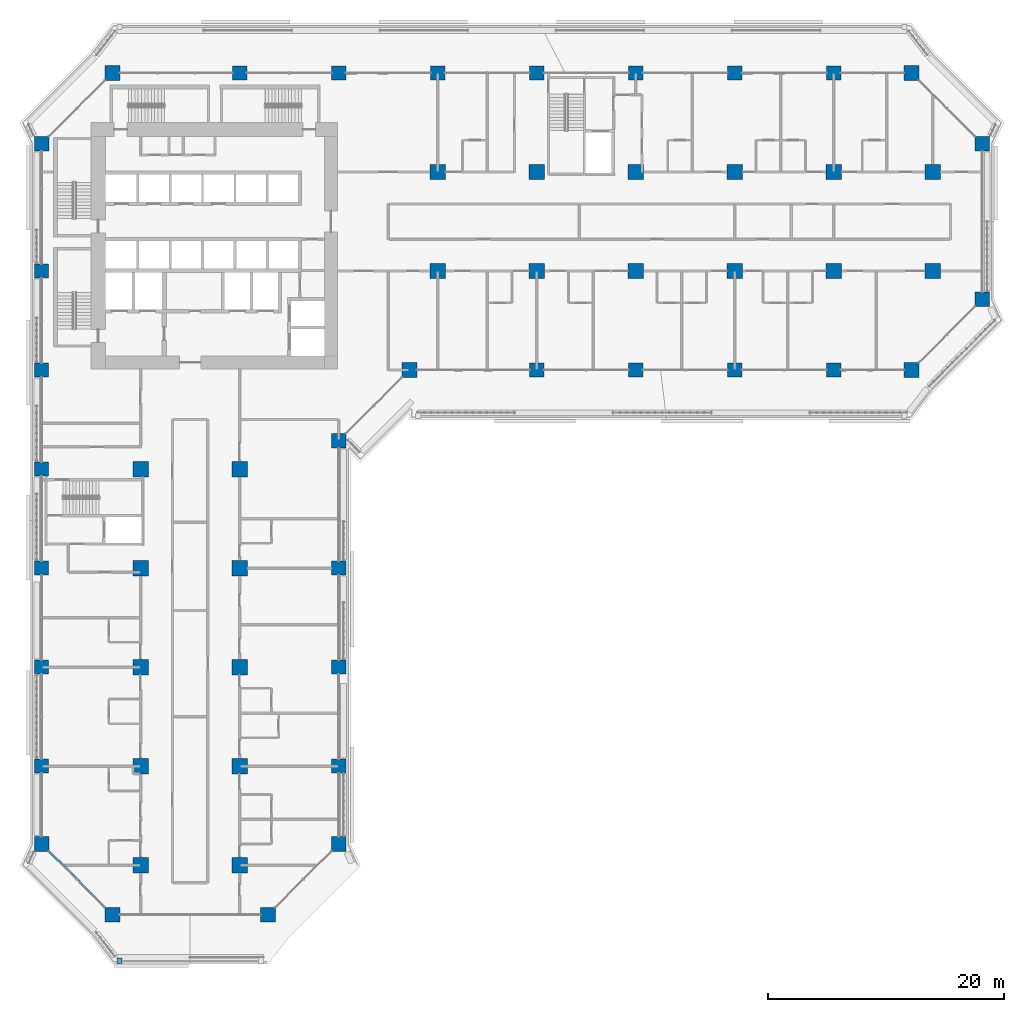
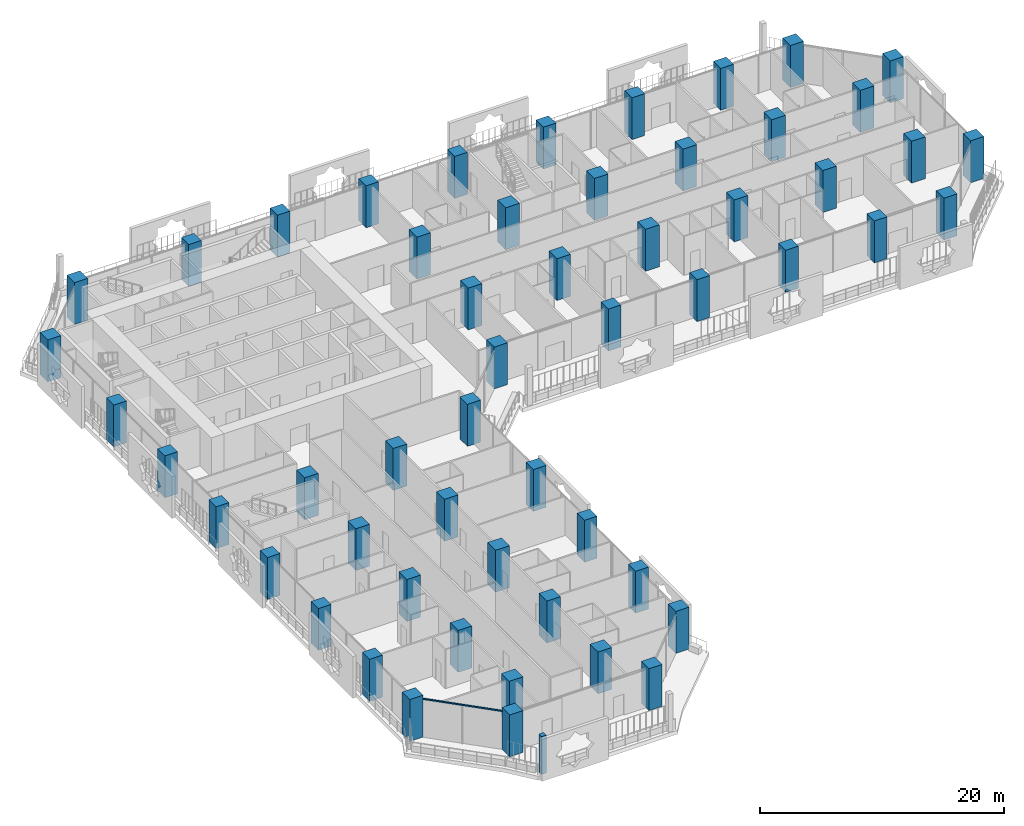
# One storey, part 1 of 28: 54 columns, 2 members, 2 elements without a shape of their own.
"""IFC4 building model written with IfcOpenShell, lengths in metres."""

import ifcopenshell
import ifcopenshell.guid

model = None  # the IFC model being written
_history = None  # IfcOwnerHistory: only IFC2X3 demands one
_inside = {}  # id of a spatial element -> (the spatial element, [elements in it])
_under = {}  # id of a project, library or spatial element -> (it, [spatial elements below it])
_declared = {}  # id of a project -> (the project, [libraries it declares])
_typed = {}  # id of a type object -> (the type object, [elements of that type])
_made_of = {}  # id of a material, layer set ... -> (it, [elements and type objects made of it])


def new_model(schema):
    """Start an empty IFC model of exactly this schema.

    Asked for "IFC4X3", IfcOpenShell would pick the latest addendum, in which some entities
    have other attributes; the version numbers below select the first issue.
    IFC2X3 requires an IfcOwnerHistory on every rooted entity: one is made here for all.
    """
    global model, _history
    if schema == "IFC4X3":
        model = ifcopenshell.file(schema_version=(4, 3, 0, 0))
    else:
        model = ifcopenshell.file(schema=schema)
    _inside.clear()
    _under.clear()
    _declared.clear()
    _typed.clear()
    _made_of.clear()
    _history = None
    if model.schema == "IFC2X3":
        org = make("IfcOrganization", Name="unknown")
        user = make(
            "IfcPersonAndOrganization",
            ThePerson=make("IfcPerson", FamilyName="unknown"),
            TheOrganization=org,
        )
        app = make(
            "IfcApplication",
            ApplicationDeveloper=org,
            Version="unknown",
            ApplicationFullName="unknown",
            ApplicationIdentifier="unknown",
        )
        _history = make(
            "IfcOwnerHistory",
            OwningUser=user,
            OwningApplication=app,
            ChangeAction="ADDED",
            CreationDate=0,
        )
    return model


def make(cls, **values):
    """One entity of the class cls with the attributes given. An attribute that is None is left unset."""
    return model.create_entity(
        cls, **{name: value for name, value in values.items() if value is not None}
    )


def rooted(cls, **values):
    """An entity with a GlobalId (a new one), such as an element, a storey or a relation."""
    return make(cls, GlobalId=ifcopenshell.guid.new(), OwnerHistory=_history, **values)


def si_unit(unit_type, name, prefix=None):
    """IfcSIUnit, for example si_unit("LENGTHUNIT", "METRE", prefix="MILLI")."""
    return make("IfcSIUnit", UnitType=unit_type, Prefix=prefix, Name=name)


def assignment(units):
    """IfcUnitAssignment: the units of a project."""
    return None if units is None else make("IfcUnitAssignment", Units=units)


def point(xyz):
    """IfcCartesianPoint."""
    return None if xyz is None else make("IfcCartesianPoint", Coordinates=xyz)


def direction(xyz):
    """IfcDirection."""
    return None if xyz is None else make("IfcDirection", DirectionRatios=xyz)


def frame(location, z_axis=None, x_axis=None):
    """IfcAxis2Placement3D, a coordinate frame: its origin and axes. An axis left out is left unset."""
    return make(
        "IfcAxis2Placement3D",
        Location=point(location),
        Axis=direction(z_axis),
        RefDirection=direction(x_axis),
    )


def frame_2d(location, x_axis=None):
    """IfcAxis2Placement2D, a coordinate frame in the plane: its origin and x axis."""
    return make(
        "IfcAxis2Placement2D", Location=point(location), RefDirection=direction(x_axis)
    )


def origin():
    """The frame at (0, 0, 0) with its axes left unset."""
    return frame((0.0, 0.0, 0.0))


def origin_2d():
    """The frame at (0, 0) in the plane with its x axis left unset."""
    return frame_2d((0.0, 0.0))


def place(relative_to, where):
    """IfcLocalPlacement: puts the frame where relative to a parent placement (None: the world)."""
    return make(
        "IfcLocalPlacement", PlacementRelTo=relative_to, RelativePlacement=where
    )


def context(
    kind, dimensions, precision=None, world=None, true_north=None, identifier=None
):
    """IfcGeometricRepresentationContext, for example the 3D "Model" context."""
    return make(
        "IfcGeometricRepresentationContext",
        ContextIdentifier=identifier,
        ContextType=kind,
        CoordinateSpaceDimension=dimensions,
        Precision=precision,
        WorldCoordinateSystem=world,
        TrueNorth=true_north,
    )


def subcontext(parent, identifier, kind, view, scale=None):
    """IfcGeometricRepresentationSubContext, for example "Body" below "Model"."""
    return make(
        "IfcGeometricRepresentationSubContext",
        ContextIdentifier=identifier,
        ContextType=kind,
        ParentContext=parent,
        TargetScale=scale,
        TargetView=view,
    )


def project(units=None, contexts=None):
    """IfcProject with its units and contexts."""
    return rooted(
        "IfcProject",
        Name="project",
        RepresentationContexts=contexts,
        UnitsInContext=assignment(units),
    )


def spatial(cls, under=None, at=None, **own):
    """A site, building, storey or space (cls), placed at a placement, below another one or the project."""
    s = rooted(cls, ObjectPlacement=at, **own)
    if under is not None:
        _under.setdefault(under.id(), (under, []))[1].append(s)
    return s


def profile(cls, at=None, kind="AREA", **sizes):
    """A parametric profile (cls). Its sizes go by their IFC names, for example OverallWidth=200.0."""
    return make(cls, ProfileType=kind, Position=at, **sizes)


def rectangle(**sizes):
    """IfcRectangleProfileDef."""
    return profile("IfcRectangleProfileDef", **sizes)


def extrude(swept, where, along, depth):
    """IfcExtrudedAreaSolid: the profile swept, set in the frame where, extruded along a direction by depth."""
    return make(
        "IfcExtrudedAreaSolid",
        SweptArea=swept,
        Position=where,
        ExtrudedDirection=direction(along),
        Depth=depth,
    )


def shape(context_of_items, identifier, shape_type, items):
    """IfcShapeRepresentation: the items that make up one representation, for example the "Body"."""
    return make(
        "IfcShapeRepresentation",
        ContextOfItems=context_of_items,
        RepresentationIdentifier=identifier,
        RepresentationType=shape_type,
        Items=items,
    )


def material(Name=None, Category=None):
    """IfcMaterial."""
    return make("IfcMaterial", Name=Name, Category=Category)


def layer(
    of_material, thickness, ventilated=None, Name=None, Category=None, Priority=None
):
    """IfcMaterialLayer: one layer of a wall or slab, of a material (None: an air gap)."""
    return make(
        "IfcMaterialLayer",
        Material=of_material,
        LayerThickness=thickness,
        IsVentilated=ventilated,
        Name=Name,
        Category=Category,
        Priority=Priority,
    )


def layer_set(layers, Name=None):
    """IfcMaterialLayerSet."""
    return make("IfcMaterialLayerSet", MaterialLayers=layers, LayerSetName=Name)


def material_profile(
    of_material, cross_section, Name=None, Category=None, Priority=None
):
    """IfcMaterialProfile: a cross section and its material."""
    return make(
        "IfcMaterialProfile",
        Name=Name,
        Material=of_material,
        Profile=cross_section,
        Priority=Priority,
        Category=Category,
    )


def profile_set(profiles, Name=None, composite=None):
    """IfcMaterialProfileSet."""
    return make(
        "IfcMaterialProfileSet",
        Name=Name,
        MaterialProfiles=profiles,
        CompositeProfile=composite,
    )


def made_of(thing, what):
    """Note that an element or type object is made of a material, layer set ...; save() writes the relation."""
    if what is not None:
        _made_of.setdefault(what.id(), (what, []))[1].append(thing)
    return thing


def type_object(cls, material=None, **own):
    """A type object (cls), such as IfcWallType, which elements share."""
    return made_of(rooted(cls, **own), material)


def element(
    cls,
    number,
    at=None,
    inside=None,
    cuts=None,
    type_object=None,
    material=None,
    context=None,
    identifier="Body",
    shape_type=None,
    held_by="IfcProductDefinitionShape",
    body=None,
    shapes=None,
    **own,
):
    """One element of the class cls, such as IfcWall. Its Tag is "e" and its number.

    at: its placement. inside: the storey or other place that contains it. cuts: it is an
    opening in that element (IfcRelVoidsElement). A single representation is given by context,
    identifier, shape_type and body (its items); several are given by shapes. held_by: the class
    of the entity that holds the representations. save() writes the other relations.
    """
    e = rooted(cls, Tag="e%d" % number, ObjectPlacement=at, **own)
    if body is not None:
        shapes = [shape(context, identifier, shape_type, body)]
    if shapes is not None:
        e.Representation = make(held_by, Representations=shapes)
    if inside is not None:
        _inside.setdefault(inside.id(), (inside, []))[1].append(e)
    if cuts is not None:
        rooted(
            "IfcRelVoidsElement", RelatingBuildingElement=cuts, RelatedOpeningElement=e
        )
    if type_object is not None:
        _typed.setdefault(type_object.id(), (type_object, []))[1].append(e)
    return made_of(e, material)


def aggregate(whole, parts):
    """IfcRelAggregates: a whole, such as a stair, and the parts it consists of."""
    return rooted("IfcRelAggregates", RelatingObject=whole, RelatedObjects=parts)


def save(model, path):
    """Write the relations noted so far, then the file.

    IfcRelAggregates (storeys below a building ...), IfcRelContainedInSpatialStructure (elements
    in a storey), IfcRelDefinesByType, IfcRelAssociatesMaterial and IfcRelDeclares: one each for
    every whole, place, type object, material and project.
    """
    for whole, parts in _under.values():
        aggregate(whole, parts)
    for where, things in _inside.values():
        rooted(
            "IfcRelContainedInSpatialStructure",
            RelatedElements=things,
            RelatingStructure=where,
        )
    for kind, things in _typed.values():
        rooted("IfcRelDefinesByType", RelatedObjects=things, RelatingType=kind)
    for what, things in _made_of.values():
        rooted("IfcRelAssociatesMaterial", RelatedObjects=things, RelatingMaterial=what)
    for by, libraries in _declared.values():
        rooted("IfcRelDeclares", RelatingContext=by, RelatedDefinitions=libraries)
    model.write(path)


model = new_model("IFC4")

# Units and contexts
model_context = context("Model", 3, precision=1e-05, world=origin(), true_north=direction((0.0, 1.0)))
body_context = subcontext(model_context, "Body", "Model", "MODEL_VIEW")
ifc_project = project(units=[si_unit("LENGTHUNIT", "METRE"), si_unit("AREAUNIT", "SQUARE_METRE"), si_unit("VOLUMEUNIT", "CUBIC_METRE"), si_unit("PLANEANGLEUNIT", "RADIAN"), si_unit("MASSUNIT", "GRAM", prefix="KILO")], contexts=[model_context])

# Site, building, storey
site_placement = place(None, origin())
site = spatial("IfcSite", under=ifc_project, at=site_placement, CompositionType="ELEMENT")
building_placement = place(site_placement, origin())
building = spatial("IfcBuilding", under=site, at=building_placement, Name="Kawkab Arch Medical Tower", CompositionType="ELEMENT")
storey_placement = place(building_placement, frame((0.0, 0.0, 77.0)))
storey = spatial("IfcBuildingStorey", under=building, at=storey_placement, Name="L17", CompositionType="ELEMENT", Elevation=77.0)

# Columns
ifc_material_1 = material(Name="Concrete C60/75", Category="concrete")
ifc_material_profile_1 = material_profile(ifc_material_1, rectangle(XDim=1.199951171875, YDim=1.199951171875, at=origin_2d()), Name="RC 1200x1200")
ifc_profile_set_1 = profile_set([ifc_material_profile_1], Name="Concrete C60/75")
column_type_1 = type_object("IfcColumnType", Name="RC 1200x1200 column C60/75", PredefinedType="COLUMN", material=ifc_profile_set_1)
for number, where, z_axis, x_axis, name in (
    (1, (16.800048828125, 0.0, 0.0), (0.0, 0.0, 1.0), (1.0, 0.0, 0.0), "Column RC 1200x1200"),
    (2, (25.199951171875, 0.0, 0.0), (0.0, 0.0, 1.0), (1.0, 0.0, 0.0), "Column RC 1200x1200"),
    (3, (33.60009765625, 0.0, 0.0), (0.0, 0.0, 1.0), (1.0, 0.0, 0.0), "Column RC 1200x1200"),
    (4, (42.0, 0.0, 0.0), (0.0, 0.0, 1.0), (1.0, 0.0, 0.0), "Column RC 1200x1200"),
    (5, (50.39990234375, 0.0, 0.0), (0.0, 0.0, 1.0), (1.0, 0.0, 0.0), "Column RC 1200x1200"),
    (6, (58.800048828125, 0.0, 0.0), (0.0, 0.0, 1.0), (1.0, 0.0, 0.0), "Column RC 1200x1200"),
    (7, (67.199951171875, 0.0, 0.0), (0.0, 0.0, 1.0), (1.0, 0.0, 0.0), "Column RC 1200x1200"),
    (8, (0.0, -16.800048828125, 0.0), (0.0, 0.0, 1.0), (1.0, 0.0, 0.0), "Column RC 1200x1200"),
    (9, (0.0, -25.199951171875, 0.0), (0.0, 0.0, 1.0), (1.0, 0.0, 0.0), "Column RC 1200x1200"),
    (10, (42.0, -25.199951171875, 0.0), (0.0, 0.0, 1.0), (1.0, 0.0, 0.0), "Column RC 1200x1200"),
    (11, (50.39990234375, -25.199951171875, 0.0), (0.0, 0.0, 1.0), (1.0, 0.0, 0.0), "Column RC 1200x1200"),
    (12, (58.800048828125, -25.199951171875, 0.0), (0.0, 0.0, 1.0), (1.0, 0.0, 0.0), "Column RC 1200x1200"),
    (13, (67.199951171875, -25.199951171875, 0.0), (0.0, 0.0, 1.0), (1.0, 0.0, 0.0), "Column RC 1200x1200"),
    (14, (0.0, -33.60009765625, 0.0), (0.0, 0.0, 1.0), (1.0, 0.0, 0.0), "Column RC 1200x1200"),
    (15, (0.0, -42.0, 0.0), (0.0, 0.0, 1.0), (1.0, 0.0, 0.0), "Column RC 1200x1200"),
    (16, (25.199951171875, -42.0, 0.0), (0.0, 0.0, 1.0), (1.0, 0.0, 0.0), "Column RC 1200x1200"),
    (17, (0.0, -50.39990234375, 0.0), (0.0, 0.0, 1.0), (1.0, 0.0, 0.0), "Column RC 1200x1200"),
    (18, (25.199951171875, -50.39990234375, 0.0), (0.0, 0.0, 1.0), (1.0, 0.0, 0.0), "Column RC 1200x1200"),
    (19, (0.0, -58.800048828125, 0.0), (0.0, 0.0, 1.0), (1.0, 0.0, 0.0), "Column RC 1200x1200"),
    (20, (25.199951171875, -58.800048828125, 0.0), (0.0, 0.0, 1.0), (1.0, 0.0, 0.0), "Column RC 1200x1200"),
):
    element("IfcColumn", number, at=place(storey_placement, frame(where, z_axis=z_axis, x_axis=x_axis)), inside=storey, type_object=column_type_1, Name=name, PredefinedType="COLUMN", context=body_context, shape_type="SweptSolid", body=[
        extrude(rectangle(XDim=1.199951171875, YDim=1.199951171875, at=origin_2d()), origin(), (0.0, 0.0, 1.0), 4.199951171875),
    ])
ifc_material_2 = material(Name="Concrete C60/75", Category="concrete")
ifc_material_profile_2 = material_profile(ifc_material_2, rectangle(XDim=1.25, YDim=1.25, at=origin_2d()), Name="RC 1250x1250")
ifc_profile_set_2 = profile_set([ifc_material_profile_2], Name="Concrete C60/75")
column_type_2 = type_object("IfcColumnType", Name="RC 1250x1250 column C60/75", PredefinedType="COLUMN", material=ifc_profile_set_2)
for number, where, z_axis, x_axis, name in (
    (21, (6.0, 0.0, 0.0), (0.0, 0.0, 1.0), (1.0, 0.0, 0.0), "Column RC 1250x1250"),
    (22, (73.800048828125, 0.0, 0.0), (0.0, 0.0, 1.0), (1.0, 0.0, 0.0), "Column RC 1250x1250"),
    (23, (0.0, -6.0, 0.0), (0.0, 0.0, 1.0), (1.0, 0.0, 0.0), "Column RC 1250x1250"),
    (24, (79.800048828125, -6.0, 0.0), (0.0, 0.0, 1.0), (1.0, 0.0, 0.0), "Column RC 1250x1250"),
    (25, (79.800048828125, -19.199951171875, 0.0), (0.0, 0.0, 1.0), (1.0, 0.0, 0.0), "Column RC 1250x1250"),
    (26, (31.199951171875, -25.199951171875, 0.0), (0.0, 0.0, 1.0), (1.0, 0.0, 0.0), "Column RC 1250x1250"),
    (27, (73.800048828125, -25.199951171875, 0.0), (0.0, 0.0, 1.0), (1.0, 0.0, 0.0), "Column RC 1250x1250"),
    (28, (25.199951171875, -31.199951171875, 0.0), (0.0, 0.0, 1.0), (1.0, 0.0, 0.0), "Column RC 1250x1250"),
    (29, (0.0, -65.39990234375, 0.0), (0.0, 0.0, 1.0), (1.0, 0.0, 0.0), "Column RC 1250x1250"),
    (30, (25.199951171875, -65.39990234375, 0.0), (0.0, 0.0, 1.0), (1.0, 0.0, 0.0), "Column RC 1250x1250"),
    (31, (6.0, -71.39990234375, 0.0), (0.0, 0.0, 1.0), (1.0, 0.0, 0.0), "Column RC 1250x1250"),
    (32, (19.199951171875, -71.39990234375, 0.0), (0.0, 0.0, 1.0), (1.0, 0.0, 0.0), "Column RC 1250x1250"),
):
    element("IfcColumn", number, at=place(storey_placement, frame(where, z_axis=z_axis, x_axis=x_axis)), inside=storey, type_object=column_type_2, Name=name, PredefinedType="COLUMN", context=body_context, shape_type="SweptSolid", body=[
        extrude(rectangle(XDim=1.25, YDim=1.25, at=origin_2d()), origin(), (0.0, 0.0, 1.0), 4.199951171875),
    ])
ifc_material_3 = material(Name="Concrete C60/75", Category="concrete")
ifc_material_profile_3 = material_profile(ifc_material_3, rectangle(XDim=1.300048828125, YDim=1.300048828125, at=origin_2d()), Name="RC 1300x1300")
ifc_profile_set_3 = profile_set([ifc_material_profile_3], Name="Concrete C60/75")
column_type_3 = type_object("IfcColumnType", Name="RC 1300x1300 column C60/75", PredefinedType="COLUMN", material=ifc_profile_set_3)
for number, where, z_axis, x_axis, name in (
    (33, (33.60009765625, -8.39990234375, 0.0), (0.0, 0.0, 1.0), (1.0, 0.0, 0.0), "Column RC 1300x1300"),
    (34, (42.0, -8.39990234375, 0.0), (0.0, 0.0, 1.0), (1.0, 0.0, 0.0), "Column RC 1300x1300"),
    (35, (50.39990234375, -8.39990234375, 0.0), (0.0, 0.0, 1.0), (1.0, 0.0, 0.0), "Column RC 1300x1300"),
    (36, (58.800048828125, -8.39990234375, 0.0), (0.0, 0.0, 1.0), (1.0, 0.0, 0.0), "Column RC 1300x1300"),
    (37, (67.199951171875, -8.39990234375, 0.0), (0.0, 0.0, 1.0), (1.0, 0.0, 0.0), "Column RC 1300x1300"),
    (38, (75.60009765625, -8.39990234375, 0.0), (0.0, 0.0, 1.0), (1.0, 0.0, 0.0), "Column RC 1300x1300"),
    (39, (33.60009765625, -16.800048828125, 0.0), (0.0, 0.0, 1.0), (1.0, 0.0, 0.0), "Column RC 1300x1300"),
    (40, (42.0, -16.800048828125, 0.0), (0.0, 0.0, 1.0), (1.0, 0.0, 0.0), "Column RC 1300x1300"),
    (41, (50.39990234375, -16.800048828125, 0.0), (0.0, 0.0, 1.0), (1.0, 0.0, 0.0), "Column RC 1300x1300"),
    (42, (58.800048828125, -16.800048828125, 0.0), (0.0, 0.0, 1.0), (1.0, 0.0, 0.0), "Column RC 1300x1300"),
    (43, (67.199951171875, -16.800048828125, 0.0), (0.0, 0.0, 1.0), (1.0, 0.0, 0.0), "Column RC 1300x1300"),
    (44, (75.60009765625, -16.800048828125, 0.0), (0.0, 0.0, 1.0), (1.0, 0.0, 0.0), "Column RC 1300x1300"),
    (45, (8.39990234375, -33.60009765625, 0.0), (0.0, 0.0, 1.0), (1.0, 0.0, 0.0), "Column RC 1300x1300"),
    (46, (16.800048828125, -33.60009765625, 0.0), (0.0, 0.0, 1.0), (1.0, 0.0, 0.0), "Column RC 1300x1300"),
    (47, (8.39990234375, -42.0, 0.0), (0.0, 0.0, 1.0), (1.0, 0.0, 0.0), "Column RC 1300x1300"),
    (48, (16.800048828125, -42.0, 0.0), (0.0, 0.0, 1.0), (1.0, 0.0, 0.0), "Column RC 1300x1300"),
    (49, (8.39990234375, -50.39990234375, 0.0), (0.0, 0.0, 1.0), (1.0, 0.0, 0.0), "Column RC 1300x1300"),
    (50, (16.800048828125, -50.39990234375, 0.0), (0.0, 0.0, 1.0), (1.0, 0.0, 0.0), "Column RC 1300x1300"),
    (51, (8.39990234375, -58.800048828125, 0.0), (0.0, 0.0, 1.0), (1.0, 0.0, 0.0), "Column RC 1300x1300"),
    (52, (16.800048828125, -58.800048828125, 0.0), (0.0, 0.0, 1.0), (1.0, 0.0, 0.0), "Column RC 1300x1300"),
    (53, (8.39990234375, -67.199951171875, 0.0), (0.0, 0.0, 1.0), (1.0, 0.0, 0.0), "Column RC 1300x1300"),
    (54, (16.800048828125, -67.199951171875, 0.0), (0.0, 0.0, 1.0), (1.0, 0.0, 0.0), "Column RC 1300x1300"),
):
    element("IfcColumn", number, at=place(storey_placement, frame(where, z_axis=z_axis, x_axis=x_axis)), inside=storey, type_object=column_type_3, Name=name, PredefinedType="COLUMN", context=body_context, shape_type="SweptSolid", body=[
        extrude(rectangle(XDim=1.300048828125, YDim=1.300048828125, at=origin_2d()), origin(), (0.0, 0.0, 1.0), 4.199951171875),
    ])

# Curtain wall, member
ifc_material_4 = material(Name="Bronze anodised aluminium curtain wall frame", Category="aluminium")
ifc_layer_1 = layer(ifc_material_4, 0.159912109375)
ifc_layer_set_1 = layer_set([ifc_layer_1], Name="Bronze anodised aluminium curtain wall frame")
curtain_wall_type_1 = type_object("IfcCurtainWallType", Name="CW2 chamfer curtain wall", PredefinedType="NOTDEFINED", material=ifc_layer_set_1)
placement = place(storey_placement, origin())
curtain_wall_1 = element("IfcCurtainWall", 55, at=placement, inside=storey, type_object=curtain_wall_type_1, Name="CW2 Chamfer curtain wall R02", PredefinedType="NOTDEFINED")
ifc_material_5 = material(Name="Bronze anodised aluminium curtain wall frame", Category="aluminium")
ifc_material_profile_4 = material_profile(ifc_material_5, rectangle(XDim=0.06005859375, YDim=0.139892578125, at=origin_2d()), Name="AL 60x140")
ifc_profile_set_4 = profile_set([ifc_material_profile_4], Name="Bronze anodised aluminium curtain wall frame")
member_type_1 = type_object("IfcMemberType", Name="CW2 transom 140 x 60", PredefinedType="USERDEFINED", material=ifc_profile_set_4)
member_1_placement = place(storey_placement, frame((0.625, -66.02490234375, 3.830078125), z_axis=(0.707106781187, -0.707106781187, 0.0), x_axis=(0.707106781187, 0.707106781187, 0.0)))
member_1 = element("IfcMember", 56, at=member_1_placement, type_object=member_type_1, Name="CW2 transom 1", ObjectType="TRANSOM", PredefinedType="USERDEFINED", context=body_context, shape_type="SweptSolid", body=[
    extrude(rectangle(XDim=0.06005859375, YDim=0.139892578125, at=origin_2d()), origin(), (0.0, 0.0, 1.0), 6.717529296875),
])
aggregate(curtain_wall_1, [member_1])

ifc_material_6 = material(Name="Bronze anodised aluminium climber frame, planted", Category="aluminium")
ifc_layer_2 = layer(ifc_material_6, 0.449951171875)
ifc_layer_set_2 = layer_set([ifc_layer_2], Name="Bronze anodised aluminium climber frame, planted")
curtain_wall_type_2 = type_object("IfcCurtainWallType", Name="Planted climber frame", PredefinedType="NOTDEFINED", material=ifc_layer_set_2)
curtain_wall_2 = element("IfcCurtainWall", 57, at=placement, inside=storey, type_object=curtain_wall_type_2, Name="Planted climber frame L17", PredefinedType="NOTDEFINED")
ifc_material_7 = material(Name="Bronze anodised aluminium climber frame, planted", Category="aluminium")
ifc_material_profile_5 = material_profile(ifc_material_7, rectangle(XDim=0.449951171875, YDim=0.449951171875, at=origin_2d()), Name="Post 450x450")
ifc_profile_set_5 = profile_set([ifc_material_profile_5], Name="Bronze anodised aluminium climber frame, planted")
member_type_2 = type_object("IfcMemberType", Name="Planted climber post 450 x 450", PredefinedType="MULLION", material=ifc_profile_set_5)
member_2_placement = place(storey_placement, frame((6.596923828125, -75.300048828125, 0.0), z_axis=(0.0, 0.0, 1.0), x_axis=(1.0, 0.0, 0.0)))
member_2 = element("IfcMember", 58, at=member_2_placement, type_object=member_type_2, Name="Planted climber post L17.LOG-01-01.2", PredefinedType="MULLION", context=body_context, shape_type="SweptSolid", body=[
    extrude(rectangle(XDim=0.449951171875, YDim=0.449951171875, at=origin_2d()), origin(), (0.0, 0.0, 1.0), 3.800048828125),
])
aggregate(curtain_wall_2, [member_2])

save(model, "model.ifc")
